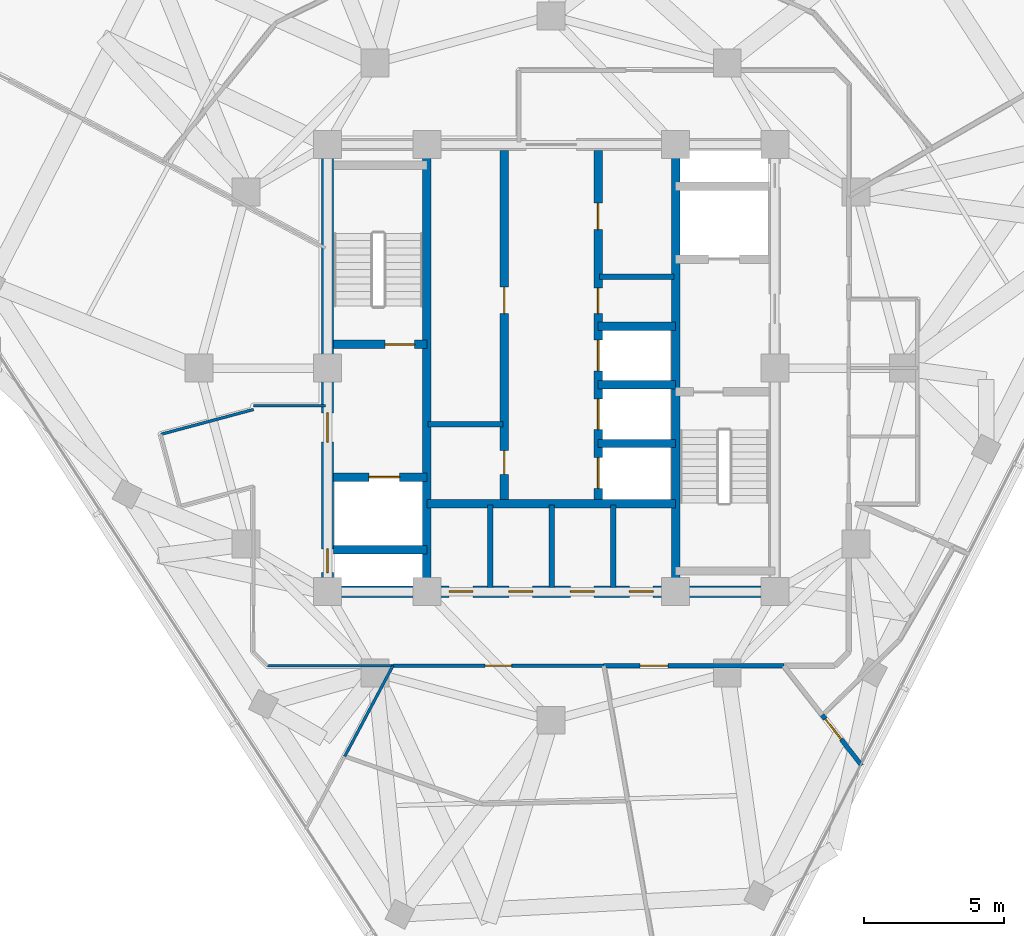
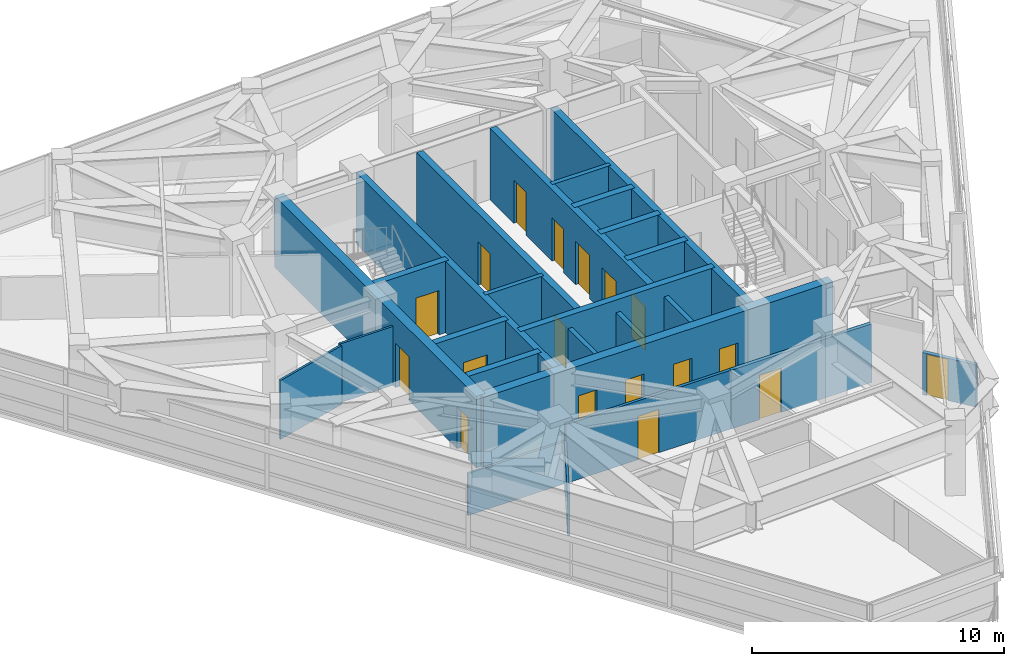
# One storey, part 8 of 15: 25 walls, 18 doors, 18 openings.
"""IFC4 building model written with IfcOpenShell, lengths in metres."""

from ifc_helpers import new_model, si_unit, direction, frame, frame_2d, origin, place, context, subcontext, project, spatial, rectangle, extrude, material, layer, layer_set, type_object, element, fill, save


model = new_model("IFC4")

# Units and contexts
model_context = context("Model", 3, precision=1e-05, world=origin(), true_north=direction((0.0, 1.0)))
body_context = subcontext(model_context, "Body", "Model", "MODEL_VIEW")
ifc_project = project(units=[si_unit("LENGTHUNIT", "METRE"), si_unit("AREAUNIT", "SQUARE_METRE"), si_unit("VOLUMEUNIT", "CUBIC_METRE"), si_unit("PLANEANGLEUNIT", "RADIAN"), si_unit("MASSUNIT", "GRAM", prefix="KILO")], contexts=[model_context])

# Site, building, storey
site_placement = place(None, origin())
site = spatial("IfcSite", under=ifc_project, at=site_placement, CompositionType="ELEMENT")
building_placement = place(site_placement, origin())
building = spatial("IfcBuilding", under=site, at=building_placement, Name="Terralouvre Media Tower", CompositionType="ELEMENT")
storey_placement = place(building_placement, frame((0.0, 0.0, 274.39990234375)))
storey = spatial("IfcBuildingStorey", under=building, at=storey_placement, Name="L71", CompositionType="ELEMENT", Elevation=274.39990234375)

# Walls
ifc_material_1 = material(Name="Concrete C50/60", Category="concrete")
ifc_layer_1 = layer(ifc_material_1, 0.300048828125, Name="Core Internal Shaft Wall CW-300")
ifc_layer_set_1 = layer_set([ifc_layer_1], Name="Concrete C50/60")
wall_type_1 = type_object("IfcWallType", Name="Core Internal Shaft Wall CW-300", PredefinedType="SHEAR", material=ifc_layer_set_1)
for number, where, z_axis, x_axis, name in (
    (1, (-4.449951171875, -7.7900390625, 0.0), (0.0, 0.0, 1.0), (0.0, 1.0, 0.0), "L71 Core Shaft Wall SPW"),
    (2, (4.449951171875, -7.7900390625, 0.0), (0.0, 0.0, 1.0), (0.0, 1.0, 0.0), "L71 Core Shaft Wall SPE"),
):
    element("IfcWall", number, at=place(storey_placement, frame(where, z_axis=z_axis, x_axis=x_axis)), inside=storey, type_object=wall_type_1, Name=name, PredefinedType="SHEAR", context=body_context, shape_type="SweptSolid", body=[
        extrude(rectangle(XDim=15.580078125, YDim=0.300048828125, at=frame_2d((7.7900390625, 0.0))), origin(), (0.0, 0.0, 1.0), 3.460205078125),
    ])

# Wall, opening, door
wall_1_placement = place(storey_placement, frame((-7.7900390625, 0.85009765625, 0.0), z_axis=(0.0, 0.0, 1.0), x_axis=(1.0, 0.0, 0.0)))
wall_1 = element("IfcWall", 3, at=wall_1_placement, inside=storey, type_object=wall_type_1, Name="L71 Core Shaft Wall ST1D", PredefinedType="SHEAR", context=body_context, shape_type="SweptSolid", body=[
    extrude(rectangle(XDim=3.340087890625, YDim=0.300048828125, at=frame_2d((1.669921875, 0.0))), origin(), (0.0, 0.0, 1.0), 3.460205078125),
])
opening_1_placement = place(wall_1_placement, frame((1.85009765625, 0.0, 0.0)))
opening_1 = element("IfcOpeningElement", 4, at=opening_1_placement, cuts=wall_1, Name="Opening FD-01-105X215", PredefinedType="OPENING", context=body_context, shape_type="SweptSolid", body=[
    extrude(rectangle(XDim=1.050048828125, YDim=2.14990234375, at=frame_2d((0.52490234375, 1.074951171875))), frame((0.0, 0.159912109375, 0.0), z_axis=(0.0, -1.0, 0.0), x_axis=(1.0, 0.0, 0.0)), (0.0, 0.0, 1.0), 0.320068359375),
])
ifc_material_2 = material(Name="Galvanised steel fire-resisting leaf", Category="steel")
door_type_1 = type_object("IfcDoorType", Name="Stair and Firefighting Lobby Fire Door FD-01 (1050x2150)", OperationType="NOTDEFINED", PredefinedType="DOOR", material=ifc_material_2)
door_1_placement = place(opening_1_placement, origin())
door_1 = element("IfcDoor", 5, at=door_1_placement, inside=storey, type_object=door_type_1, Name="L71 ST-01 Exit Stair Door", OperationType="SINGLE_SWING_LEFT", OverallHeight=2.14990234375, OverallWidth=1.050048828125, PredefinedType="DOOR", context=body_context, shape_type="SweptSolid", body=[
    extrude(rectangle(XDim=1.050048828125, YDim=2.14990234375, at=frame_2d((0.52490234375, 1.074951171875))), frame((0.0, 0.02490234375, 0.0), z_axis=(0.0, -1.0, 0.0), x_axis=(1.0, 0.0, 0.0)), (0.0, 0.0, 1.0), 0.050048828125),
])
fill(opening_1, door_1)

wall_2_placement = place(storey_placement, frame((-7.7900390625, -3.89990234375, 0.0), z_axis=(0.0, 0.0, 1.0), x_axis=(1.0, 0.0, 0.0)))
wall_2 = element("IfcWall", 6, at=wall_2_placement, inside=storey, type_object=wall_type_1, Name="L71 Core Shaft Wall FF1N", PredefinedType="SHEAR", context=body_context, shape_type="SweptSolid", body=[
    extrude(rectangle(XDim=3.340087890625, YDim=0.300048828125, at=frame_2d((1.669921875, 0.0))), origin(), (0.0, 0.0, 1.0), 3.460205078125),
])
opening_2_placement = place(wall_2_placement, frame((1.27001953125, 0.0, 0.0)))
opening_2 = element("IfcOpeningElement", 7, at=opening_2_placement, cuts=wall_2, Name="Opening LD-FF", PredefinedType="OPENING", context=body_context, shape_type="SweptSolid", body=[
    extrude(rectangle(XDim=1.10009765625, YDim=2.10009765625, at=frame_2d((0.550048828125, 1.050048828125))), frame((0.0, 0.159912109375, 0.0), z_axis=(0.0, -1.0, 0.0), x_axis=(1.0, 0.0, 0.0)), (0.0, 0.0, 1.0), 0.320068359375),
])
ifc_material_3 = material(Name="Stainless steel 316 handrail and balustrade", Category="steel")
door_type_2 = type_object("IfcDoorType", Name="Firefighting Lift Sliding Landing Door LD-FF", OperationType="SLIDING_TO_LEFT", PredefinedType="DOOR", material=ifc_material_3)
door_2_placement = place(opening_2_placement, origin())
door_2 = element("IfcDoor", 8, at=door_2_placement, inside=storey, type_object=door_type_2, Name="L71 Firefighting Lift FFL-01 Landing Door", OperationType="SLIDING_TO_LEFT", OverallHeight=2.10009765625, OverallWidth=1.10009765625, PredefinedType="DOOR", context=body_context, shape_type="SweptSolid", body=[
    extrude(rectangle(XDim=1.10009765625, YDim=2.10009765625, at=frame_2d((0.550048828125, 1.050048828125))), frame((0.0, 0.02490234375, 0.0), z_axis=(0.0, -1.0, 0.0), x_axis=(1.0, 0.0, 0.0)), (0.0, 0.0, 1.0), 0.050048828125),
])
fill(opening_2, door_2)

# Walls
wall_3_placement = place(storey_placement, frame((-7.7900390625, -6.5, 0.0), z_axis=(0.0, 0.0, 1.0), x_axis=(1.0, 0.0, 0.0)))
element("IfcWall", 9, at=wall_3_placement, inside=storey, type_object=wall_type_1, Name="L71 Core Shaft Wall FF1S", PredefinedType="SHEAR", context=body_context, shape_type="SweptSolid", body=[
    extrude(rectangle(XDim=3.340087890625, YDim=0.300048828125, at=frame_2d((1.669921875, 0.0))), origin(), (0.0, 0.0, 1.0), 3.460205078125),
])
wall_4_placement = place(storey_placement, frame((-4.449951171875, -4.85009765625, 0.0), z_axis=(0.0, 0.0, 1.0), x_axis=(1.0, 0.0, 0.0)))
element("IfcWall", 10, at=wall_4_placement, inside=storey, type_object=wall_type_1, Name="L71 Core Shaft Wall CSBN", PredefinedType="SHEAR", context=body_context, shape_type="SweptSolid", body=[
    extrude(rectangle(XDim=8.89990234375, YDim=0.300048828125, at=frame_2d((4.449951171875, 0.0))), origin(), (0.0, 0.0, 1.0), 3.460205078125),
])

# Wall, openings, doors
wall_5_placement = place(storey_placement, frame((-1.679931640625, -4.85009765625, 0.0), z_axis=(0.0, 0.0, 1.0), x_axis=(0.0, 1.0, 0.0)))
wall_5 = element("IfcWall", 11, at=wall_5_placement, inside=storey, type_object=wall_type_1, Name="L71 Core Shaft Wall LBW", PredefinedType="SHEAR", context=body_context, shape_type="SweptSolid", body=[
    extrude(rectangle(XDim=12.64013671875, YDim=0.300048828125, at=frame_2d((6.320068359375, 0.0))), origin(), (0.0, 0.0, 1.0), 3.460205078125),
])
opening_3_placement = place(wall_5_placement, frame((1.050048828125, 0.0, 0.0)))
opening_3 = element("IfcOpeningElement", 12, at=opening_3_placement, cuts=wall_5, Name="Opening TD-R1", PredefinedType="OPENING", context=body_context, shape_type="SweptSolid", body=[
    extrude(rectangle(XDim=0.85009765625, YDim=2.02001953125, at=frame_2d((0.425048828125, 1.010009765625))), frame((0.0, 0.159912109375, 0.0), z_axis=(0.0, -1.0, 0.0), x_axis=(1.0, 0.0, 0.0)), (0.0, 0.0, 1.0), 0.320068359375),
])
opening_4_placement = place(wall_5_placement, frame((6.800048828125, 0.0, 0.0)))
opening_4 = element("IfcOpeningElement", 13, at=opening_4_placement, cuts=wall_5, Name="Opening FD-02-95X210", PredefinedType="OPENING", context=body_context, shape_type="SweptSolid", body=[
    extrude(rectangle(XDim=0.949951171875, YDim=2.10009765625, at=frame_2d((0.47509765625, 1.050048828125))), frame((0.0, 0.159912109375, 0.0), z_axis=(0.0, -1.0, 0.0), x_axis=(1.0, 0.0, 0.0)), (0.0, 0.0, 1.0), 0.320068359375),
])
ifc_material_4 = material(Name="Galvanised steel fire-resisting leaf", Category="steel")
door_type_3 = type_object("IfcDoorType", Name="Plant and Riser Fire Door FD-02 (950x2100)", OperationType="NOTDEFINED", PredefinedType="DOOR", material=ifc_material_4)
door_3_placement = place(opening_4_placement, origin())
door_3 = element("IfcDoor", 14, at=door_3_placement, inside=storey, type_object=door_type_3, Name="L71 Core Patch Rack Plant Door", OperationType="SINGLE_SWING_RIGHT", OverallHeight=2.10009765625, OverallWidth=0.949951171875, PredefinedType="DOOR", context=body_context, shape_type="SweptSolid", body=[
    extrude(rectangle(XDim=0.949951171875, YDim=2.10009765625, at=frame_2d((0.47509765625, 1.050048828125))), frame((0.0, 0.02490234375, 0.0), z_axis=(0.0, -1.0, 0.0), x_axis=(1.0, 0.0, 0.0)), (0.0, 0.0, 1.0), 0.050048828125),
])
fill(opening_4, door_3)
ifc_material_5 = material(Name="Galvanised steel fire-resisting leaf", Category="steel")
door_type_4 = type_object("IfcDoorType", Name="Riser Inspection Access Trapdoor TD-R1", OperationType="NOTDEFINED", PredefinedType="TRAPDOOR", material=ifc_material_5)
door_4_placement = place(opening_3_placement, origin())
door_4 = element("IfcDoor", 15, at=door_4_placement, inside=storey, type_object=door_type_4, Name="L71 Core Cleaners Store Door", OperationType="SINGLE_SWING_LEFT", OverallHeight=2.02001953125, OverallWidth=0.85009765625, PredefinedType="TRAPDOOR", context=body_context, shape_type="SweptSolid", body=[
    extrude(rectangle(XDim=0.85009765625, YDim=2.02001953125, at=frame_2d((0.425048828125, 1.010009765625))), frame((0.0, 0.02490234375, 0.0), z_axis=(0.0, -1.0, 0.0), x_axis=(1.0, 0.0, 0.0)), (0.0, 0.0, 1.0), 0.050048828125),
])
fill(opening_3, door_4)

wall_6_placement = place(storey_placement, frame((1.679931640625, -4.85009765625, 0.0), z_axis=(0.0, 0.0, 1.0), x_axis=(0.0, 1.0, 0.0)))
wall_6 = element("IfcWall", 16, at=wall_6_placement, inside=storey, type_object=wall_type_1, Name="L71 Core Shaft Wall LBE", PredefinedType="SHEAR", context=body_context, shape_type="SweptSolid", body=[
    extrude(rectangle(XDim=12.64013671875, YDim=0.300048828125, at=frame_2d((6.320068359375, 0.0))), origin(), (0.0, 0.0, 1.0), 3.460205078125),
])
opening_5_placement = place(wall_6_placement, frame((0.550048828125, 0.0, 0.0)))
opening_5 = element("IfcOpeningElement", 17, at=opening_5_placement, cuts=wall_6, Name="Opening LD-PL", PredefinedType="OPENING", context=body_context, shape_type="SweptSolid", body=[
    extrude(rectangle(XDim=1.10009765625, YDim=2.10009765625, at=frame_2d((0.550048828125, 1.050048828125))), frame((0.0, 0.159912109375, 0.0), z_axis=(0.0, -1.0, 0.0), x_axis=(1.0, 0.0, 0.0)), (0.0, 0.0, 1.0), 0.320068359375),
])
opening_6_placement = place(wall_6_placement, frame((2.64990234375, 0.0, 0.0)))
opening_6 = element("IfcOpeningElement", 18, at=opening_6_placement, cuts=wall_6, Name="Opening LD-PL", PredefinedType="OPENING", context=body_context, shape_type="SweptSolid", body=[
    extrude(rectangle(XDim=1.10009765625, YDim=2.10009765625, at=frame_2d((0.550048828125, 1.050048828125))), frame((0.0, 0.159912109375, 0.0), z_axis=(0.0, -1.0, 0.0), x_axis=(1.0, 0.0, 0.0)), (0.0, 0.0, 1.0), 0.320068359375),
])
opening_7_placement = place(wall_6_placement, frame((4.75, 0.0, 0.0)))
opening_7 = element("IfcOpeningElement", 19, at=opening_7_placement, cuts=wall_6, Name="Opening LD-PL", PredefinedType="OPENING", context=body_context, shape_type="SweptSolid", body=[
    extrude(rectangle(XDim=1.10009765625, YDim=2.10009765625, at=frame_2d((0.550048828125, 1.050048828125))), frame((0.0, 0.159912109375, 0.0), z_axis=(0.0, -1.0, 0.0), x_axis=(1.0, 0.0, 0.0)), (0.0, 0.0, 1.0), 0.320068359375),
])
opening_8_placement = place(wall_6_placement, frame((6.800048828125, 0.0, 0.0)))
opening_8 = element("IfcOpeningElement", 20, at=opening_8_placement, cuts=wall_6, Name="Opening FD-05-92X210", PredefinedType="OPENING", context=body_context, shape_type="SweptSolid", body=[
    extrude(rectangle(XDim=0.919921875, YDim=2.10009765625, at=frame_2d((0.4599609375, 1.050048828125))), frame((0.0, 0.159912109375, 0.0), z_axis=(0.0, -1.0, 0.0), x_axis=(1.0, 0.0, 0.0)), (0.0, 0.0, 1.0), 0.320068359375),
])
opening_9_placement = place(wall_6_placement, frame((9.800048828125, 0.0, 0.0)))
opening_9 = element("IfcOpeningElement", 21, at=opening_9_placement, cuts=wall_6, Name="Opening FD-02-95X210", PredefinedType="OPENING", context=body_context, shape_type="SweptSolid", body=[
    extrude(rectangle(XDim=0.949951171875, YDim=2.10009765625, at=frame_2d((0.47509765625, 1.050048828125))), frame((0.0, 0.159912109375, 0.0), z_axis=(0.0, -1.0, 0.0), x_axis=(1.0, 0.0, 0.0)), (0.0, 0.0, 1.0), 0.320068359375),
])
ifc_material_6 = material(Name="Galvanised steel fire-resisting leaf", Category="steel")
door_type_5 = type_object("IfcDoorType", Name="Core Accessible Closet Fire Door FD-05 (920x2100)", OperationType="NOTDEFINED", PredefinedType="DOOR", material=ifc_material_6)
door_5_placement = place(opening_8_placement, origin())
door_5 = element("IfcDoor", 22, at=door_5_placement, inside=storey, type_object=door_type_5, Name="L71 Core Safe Store Door", OperationType="SINGLE_SWING_LEFT", OverallHeight=2.10009765625, OverallWidth=0.919921875, PredefinedType="DOOR", context=body_context, shape_type="SweptSolid", body=[
    extrude(rectangle(XDim=0.919921875, YDim=2.10009765625, at=frame_2d((0.4599609375, 1.050048828125))), frame((0.0, 0.02490234375, 0.0), z_axis=(0.0, -1.0, 0.0), x_axis=(1.0, 0.0, 0.0)), (0.0, 0.0, 1.0), 0.050048828125),
])
fill(opening_8, door_5)
ifc_material_7 = material(Name="Stainless steel 316 handrail and balustrade", Category="steel")
door_type_6 = type_object("IfcDoorType", Name="Passenger Lift Sliding Landing Door LD-PL", OperationType="SLIDING_TO_LEFT", PredefinedType="DOOR", material=ifc_material_7)
door_6_placement = place(opening_5_placement, origin())
door_6 = element("IfcDoor", 23, at=door_6_placement, inside=storey, type_object=door_type_6, Name="L71 High-Rise Lift PL-H1 Landing Door", OperationType="SLIDING_TO_LEFT", OverallHeight=2.10009765625, OverallWidth=1.10009765625, PredefinedType="DOOR", context=body_context, shape_type="SweptSolid", body=[
    extrude(rectangle(XDim=1.10009765625, YDim=2.10009765625, at=frame_2d((0.550048828125, 1.050048828125))), frame((0.0, 0.02490234375, 0.0), z_axis=(0.0, -1.0, 0.0), x_axis=(1.0, 0.0, 0.0)), (0.0, 0.0, 1.0), 0.050048828125),
])
fill(opening_5, door_6)
door_7_placement = place(opening_6_placement, origin())
door_7 = element("IfcDoor", 24, at=door_7_placement, inside=storey, type_object=door_type_6, Name="L71 High-Rise Lift PL-H2 Landing Door", OperationType="SLIDING_TO_LEFT", OverallHeight=2.10009765625, OverallWidth=1.10009765625, PredefinedType="DOOR", context=body_context, shape_type="SweptSolid", body=[
    extrude(rectangle(XDim=1.10009765625, YDim=2.10009765625, at=frame_2d((0.550048828125, 1.050048828125))), frame((0.0, 0.02490234375, 0.0), z_axis=(0.0, -1.0, 0.0), x_axis=(1.0, 0.0, 0.0)), (0.0, 0.0, 1.0), 0.050048828125),
])
fill(opening_6, door_7)
door_8_placement = place(opening_7_placement, origin())
door_8 = element("IfcDoor", 25, at=door_8_placement, inside=storey, type_object=door_type_6, Name="L71 High-Rise Lift PL-H3 Landing Door", OperationType="SLIDING_TO_LEFT", OverallHeight=2.10009765625, OverallWidth=1.10009765625, PredefinedType="DOOR", context=body_context, shape_type="SweptSolid", body=[
    extrude(rectangle(XDim=1.10009765625, YDim=2.10009765625, at=frame_2d((0.550048828125, 1.050048828125))), frame((0.0, 0.02490234375, 0.0), z_axis=(0.0, -1.0, 0.0), x_axis=(1.0, 0.0, 0.0)), (0.0, 0.0, 1.0), 0.050048828125),
])
fill(opening_7, door_8)
door_9_placement = place(opening_9_placement, origin())
door_9 = element("IfcDoor", 26, at=door_9_placement, inside=storey, type_object=door_type_3, Name="L71 Core IT Patch Plant Door", OperationType="SINGLE_SWING_RIGHT", OverallHeight=2.10009765625, OverallWidth=0.949951171875, PredefinedType="DOOR", context=body_context, shape_type="SweptSolid", body=[
    extrude(rectangle(XDim=0.949951171875, YDim=2.10009765625, at=frame_2d((0.47509765625, 1.050048828125))), frame((0.0, 0.02490234375, 0.0), z_axis=(0.0, -1.0, 0.0), x_axis=(1.0, 0.0, 0.0)), (0.0, 0.0, 1.0), 0.050048828125),
])
fill(opening_9, door_9)

# Walls
for number, where, z_axis, x_axis, name in (
    (27, (1.679931640625, 1.5, 0.0), (0.0, 0.0, 1.0), (1.0, 0.0, 0.0), "L71 Core Shaft Wall PLMBOT"),
    (28, (1.679931640625, -2.699951171875, 0.0), (0.0, 0.0, 1.0), (1.0, 0.0, 0.0), "L71 Core Shaft Wall PLHD1"),
    (29, (1.679931640625, -0.60009765625, 0.0), (0.0, 0.0, 1.0), (1.0, 0.0, 0.0), "L71 Core Shaft Wall PLHD2"),
):
    element("IfcWall", number, at=place(storey_placement, frame(where, z_axis=z_axis, x_axis=x_axis)), inside=storey, type_object=wall_type_1, Name=name, PredefinedType="SHEAR", context=body_context, shape_type="SweptSolid", body=[
        extrude(rectangle(XDim=2.77001953125, YDim=0.300048828125, at=frame_2d((1.385009765625, 0.0))), origin(), (0.0, 0.0, 1.0), 3.460205078125),
    ])

# Wall, openings, doors
ifc_material_8 = material(Name="Concrete C60/75", Category="concrete")
ifc_layer_2 = layer(ifc_material_8, 0.419921875, Name="Core Reinforced Concrete Shear Wall CW-420")
ifc_layer_set_2 = layer_set([ifc_layer_2], Name="Concrete C60/75")
wall_type_2 = type_object("IfcWallType", Name="Core Reinforced Concrete Shear Wall CW-420", PredefinedType="SHEAR", material=ifc_layer_set_2)
wall_7_placement = place(storey_placement, frame((-8.0, -8.0, 0.0), z_axis=(0.0, 0.0, 1.0), x_axis=(0.0, 1.0, 0.0)))
wall_7 = element("IfcWall", 30, at=wall_7_placement, inside=storey, type_object=wall_type_2, Name="L71 W Core Shear Wall", PredefinedType="SHEAR", context=body_context, shape_type="SweptSolid", body=[
    extrude(rectangle(XDim=16.0, YDim=0.419921875, at=frame_2d((8.0, 0.0))), origin(), (0.0, 0.0, 1.0), 3.460205078125),
])
opening_10_placement = place(wall_7_placement, frame((0.68115234375, 0.0, 0.0)))
opening_10 = element("IfcOpeningElement", 31, at=opening_10_placement, cuts=wall_7, Name="Opening TD-R1", PredefinedType="OPENING", context=body_context, shape_type="SweptSolid", body=[
    extrude(rectangle(XDim=0.85009765625, YDim=2.02001953125, at=frame_2d((0.425048828125, 1.010009765625))), frame((0.0, 0.219970703125, 0.0), z_axis=(0.0, -1.0, 0.0), x_axis=(1.0, 0.0, 0.0)), (0.0, 0.0, 1.0), 0.43994140625),
])
opening_11_placement = place(wall_7_placement, frame((5.35009765625, 0.0, 0.0)))
opening_11 = element("IfcOpeningElement", 32, at=opening_11_placement, cuts=wall_7, Name="Opening FD-01-105X215", PredefinedType="OPENING", context=body_context, shape_type="SweptSolid", body=[
    extrude(rectangle(XDim=1.050048828125, YDim=2.14990234375, at=frame_2d((0.52490234375, 1.074951171875))), frame((0.0, 0.219970703125, 0.0), z_axis=(0.0, -1.0, 0.0), x_axis=(1.0, 0.0, 0.0)), (0.0, 0.0, 1.0), 0.43994140625),
])
door_10_placement = place(opening_10_placement, origin())
door_10 = element("IfcDoor", 33, at=door_10_placement, inside=storey, type_object=door_type_4, Name="L71 Wet Riser Access Trapdoor", OperationType="SINGLE_SWING_LEFT", OverallHeight=2.02001953125, OverallWidth=0.85009765625, PredefinedType="TRAPDOOR", context=body_context, shape_type="SweptSolid", body=[
    extrude(rectangle(XDim=0.85009765625, YDim=2.02001953125, at=frame_2d((0.425048828125, 1.010009765625))), frame((0.0, 0.02490234375, 0.0), z_axis=(0.0, -1.0, 0.0), x_axis=(1.0, 0.0, 0.0)), (0.0, 0.0, 1.0), 0.050048828125),
])
fill(opening_10, door_10)
door_11_placement = place(opening_11_placement, origin())
door_11 = element("IfcDoor", 34, at=door_11_placement, inside=storey, type_object=door_type_1, Name="L71 West Firefighting Lobby Entry Door", OperationType="SINGLE_SWING_RIGHT", OverallHeight=2.14990234375, OverallWidth=1.050048828125, PredefinedType="DOOR", context=body_context, shape_type="SweptSolid", body=[
    extrude(rectangle(XDim=1.050048828125, YDim=2.14990234375, at=frame_2d((0.52490234375, 1.074951171875))), frame((0.0, 0.02490234375, 0.0), z_axis=(0.0, -1.0, 0.0), x_axis=(1.0, 0.0, 0.0)), (0.0, 0.0, 1.0), 0.050048828125),
])
fill(opening_11, door_11)

wall_8_placement = place(storey_placement, frame((-8.0, -8.0, 0.0), z_axis=(0.0, 0.0, 1.0), x_axis=(1.0, 0.0, 0.0)))
wall_8 = element("IfcWall", 35, at=wall_8_placement, inside=storey, type_object=wall_type_2, Name="L71 S Core Shear Wall", PredefinedType="SHEAR", context=body_context, shape_type="SweptSolid", body=[
    extrude(rectangle(XDim=16.0, YDim=0.419921875, at=frame_2d((8.0, 0.0))), origin(), (0.0, 0.0, 1.0), 3.460205078125),
])
opening_12_placement = place(wall_8_placement, frame((4.35009765625, 0.0, 0.0)))
opening_12 = element("IfcOpeningElement", 36, at=opening_12_placement, cuts=wall_8, Name="Opening TD-R1", PredefinedType="OPENING", context=body_context, shape_type="SweptSolid", body=[
    extrude(rectangle(XDim=0.85009765625, YDim=2.02001953125, at=frame_2d((0.425048828125, 1.010009765625))), frame((0.0, 0.219970703125, 0.0), z_axis=(0.0, -1.0, 0.0), x_axis=(1.0, 0.0, 0.0)), (0.0, 0.0, 1.0), 0.43994140625),
])
opening_13_placement = place(wall_8_placement, frame((6.489990234375, 0.0, 0.0)))
opening_13 = element("IfcOpeningElement", 37, at=opening_13_placement, cuts=wall_8, Name="Opening TD-R1", PredefinedType="OPENING", context=body_context, shape_type="SweptSolid", body=[
    extrude(rectangle(XDim=0.85009765625, YDim=2.02001953125, at=frame_2d((0.425048828125, 1.010009765625))), frame((0.0, 0.219970703125, 0.0), z_axis=(0.0, -1.0, 0.0), x_axis=(1.0, 0.0, 0.0)), (0.0, 0.0, 1.0), 0.43994140625),
])
opening_14_placement = place(wall_8_placement, frame((8.68994140625, 0.0, 0.0)))
opening_14 = element("IfcOpeningElement", 38, at=opening_14_placement, cuts=wall_8, Name="Opening TD-R1", PredefinedType="OPENING", context=body_context, shape_type="SweptSolid", body=[
    extrude(rectangle(XDim=0.85009765625, YDim=2.02001953125, at=frame_2d((0.425048828125, 1.010009765625))), frame((0.0, 0.219970703125, 0.0), z_axis=(0.0, -1.0, 0.0), x_axis=(1.0, 0.0, 0.0)), (0.0, 0.0, 1.0), 0.43994140625),
])
opening_15_placement = place(wall_8_placement, frame((10.800048828125, 0.0, 0.0)))
opening_15 = element("IfcOpeningElement", 39, at=opening_15_placement, cuts=wall_8, Name="Opening TD-R1", PredefinedType="OPENING", context=body_context, shape_type="SweptSolid", body=[
    extrude(rectangle(XDim=0.85009765625, YDim=2.02001953125, at=frame_2d((0.425048828125, 1.010009765625))), frame((0.0, 0.219970703125, 0.0), z_axis=(0.0, -1.0, 0.0), x_axis=(1.0, 0.0, 0.0)), (0.0, 0.0, 1.0), 0.43994140625),
])
door_12_placement = place(opening_12_placement, origin())
door_12 = element("IfcDoor", 40, at=door_12_placement, inside=storey, type_object=door_type_4, Name="L71 Core Battery Plant Door", OperationType="SINGLE_SWING_LEFT", OverallHeight=2.02001953125, OverallWidth=0.85009765625, PredefinedType="TRAPDOOR", context=body_context, shape_type="SweptSolid", body=[
    extrude(rectangle(XDim=0.85009765625, YDim=2.02001953125, at=frame_2d((0.425048828125, 1.010009765625))), frame((0.0, 0.02490234375, 0.0), z_axis=(0.0, -1.0, 0.0), x_axis=(1.0, 0.0, 0.0)), (0.0, 0.0, 1.0), 0.050048828125),
])
fill(opening_12, door_12)
door_13_placement = place(opening_13_placement, origin())
door_13 = element("IfcDoor", 41, at=door_13_placement, inside=storey, type_object=door_type_4, Name="L71 Core IT Patch Plant Door", OperationType="SINGLE_SWING_RIGHT", OverallHeight=2.02001953125, OverallWidth=0.85009765625, PredefinedType="TRAPDOOR", context=body_context, shape_type="SweptSolid", body=[
    extrude(rectangle(XDim=0.85009765625, YDim=2.02001953125, at=frame_2d((0.425048828125, 1.010009765625))), frame((0.0, 0.02490234375, 0.0), z_axis=(0.0, -1.0, 0.0), x_axis=(1.0, 0.0, 0.0)), (0.0, 0.0, 1.0), 0.050048828125),
])
fill(opening_13, door_13)
door_14_placement = place(opening_14_placement, origin())
door_14 = element("IfcDoor", 42, at=door_14_placement, inside=storey, type_object=door_type_4, Name="L71 Core Housekeeping Store Door", OperationType="SINGLE_SWING_LEFT", OverallHeight=2.02001953125, OverallWidth=0.85009765625, PredefinedType="TRAPDOOR", context=body_context, shape_type="SweptSolid", body=[
    extrude(rectangle(XDim=0.85009765625, YDim=2.02001953125, at=frame_2d((0.425048828125, 1.010009765625))), frame((0.0, 0.02490234375, 0.0), z_axis=(0.0, -1.0, 0.0), x_axis=(1.0, 0.0, 0.0)), (0.0, 0.0, 1.0), 0.050048828125),
])
fill(opening_14, door_14)
door_15_placement = place(opening_15_placement, origin())
door_15 = element("IfcDoor", 43, at=door_15_placement, inside=storey, type_object=door_type_4, Name="L71 Core Smoke Damper Plant Door", OperationType="SINGLE_SWING_RIGHT", OverallHeight=2.02001953125, OverallWidth=0.85009765625, PredefinedType="TRAPDOOR", context=body_context, shape_type="SweptSolid", body=[
    extrude(rectangle(XDim=0.85009765625, YDim=2.02001953125, at=frame_2d((0.425048828125, 1.010009765625))), frame((0.0, 0.02490234375, 0.0), z_axis=(0.0, -1.0, 0.0), x_axis=(1.0, 0.0, 0.0)), (0.0, 0.0, 1.0), 0.050048828125),
])
fill(opening_15, door_15)

# Walls
ifc_material_9 = material(Name="Low-iron laminated double glazing with solar-control coating", Category="glass")
ifc_layer_3 = layer(ifc_material_9, 0.10009765625, Name="Demountable Glazed Office Partition PT-GL100")
ifc_layer_set_3 = layer_set([ifc_layer_3], Name="Low-iron laminated double glazing with solar-control coating")
wall_type_3 = type_object("IfcWallType", Name="Demountable Glazed Office Partition PT-GL100", PredefinedType="MOVABLE", material=ifc_layer_set_3)
wall_9_placement = place(storey_placement, frame((-8.080078125, -1.35009765625, 0.0), z_axis=(0.0, 0.0, 1.0), x_axis=(-1.0, 0.0, 0.0)))
element("IfcWall", 44, at=wall_9_placement, inside=storey, type_object=wall_type_3, Name="L71 Interior Partition 001", PredefinedType="MOVABLE", context=body_context, shape_type="SweptSolid", body=[
    extrude(rectangle(XDim=2.56982421875, YDim=0.10009765625, at=frame_2d((1.284912109375, 0.0))), origin(), (0.0, 0.0, 1.0), 2.84521484375),
])
wall_10_placement = place(storey_placement, frame((-10.64990234375, -1.48193359375, 0.0), z_axis=(0.0, 0.0, 1.0), x_axis=(-0.965961397105, -0.2586862565, 0.0)))
element("IfcWall", 45, at=wall_10_placement, inside=storey, type_object=wall_type_3, Name="L71 Interior Partition 002", PredefinedType="MOVABLE", context=body_context, shape_type="SweptSolid", body=[
    extrude(rectangle(XDim=3.4287109375, YDim=0.10009765625, at=frame_2d((1.71435546875, 0.0))), origin(), (0.0, 0.0, 1.0), 2.84521484375),
])
wall_11_placement = place(storey_placement, frame((-10.14990234375, -10.64990234375, 0.0), z_axis=(0.0, 0.0, 1.0), x_axis=(1.0, 0.0, 0.0)))
element("IfcWall", 46, at=wall_11_placement, inside=storey, type_object=wall_type_3, Name="L71 Interior Partition 007", PredefinedType="MOVABLE", context=body_context, shape_type="SweptSolid", body=[
    extrude(rectangle(XDim=4.48681640625, YDim=0.10009765625, at=frame_2d((2.243408203125, 0.0))), origin(), (0.0, 0.0, 1.0), 2.045166015625),
])
wall_12_placement = place(storey_placement, frame((-7.385009765625, -13.889892578125, 0.0), z_axis=(0.0, 0.0, 1.0), x_axis=(0.469299548001, 0.883039033252, 0.0)))
element("IfcWall", 47, at=wall_12_placement, inside=storey, type_object=wall_type_3, Name="L71 Interior Partition 021", PredefinedType="MOVABLE", context=body_context, shape_type="SweptSolid", body=[
    extrude(rectangle(XDim=3.669189453125, YDim=0.10009765625, at=frame_2d((1.83447265625, 0.0))), origin(), (0.0, 0.0, 1.0), 2.045166015625),
])
ifc_material_10 = material(Name="Fire-rated gypsum board drywall partition")
ifc_layer_4 = layer(ifc_material_10, 0.199951171875, Name="Fire-Rated Shaft and Lobby Partition FW-200")
ifc_layer_set_4 = layer_set([ifc_layer_4], Name="Fire-rated gypsum board drywall partition")
wall_type_4 = type_object("IfcWallType", Name="Fire-Rated Shaft and Lobby Partition FW-200", PredefinedType="SOLIDWALL", material=ifc_layer_set_4)
for number, where, z_axis, x_axis, name in (
    (48, (-2.179931640625, -7.85009765625, 0.0), (0.0, 0.0, 1.0), (0.0, 1.0, 0.0), "L71 Core Service Bay Partition 1"),
    (49, (0.02001953125, -7.85009765625, 0.0), (0.0, 0.0, 1.0), (0.0, 1.0, 0.0), "L71 Core Service Bay Partition 2"),
    (50, (2.219970703125, -7.85009765625, 0.0), (0.0, 0.0, 1.0), (0.0, 1.0, 0.0), "L71 Core Service Bay Partition 3"),
):
    element("IfcWall", number, at=place(storey_placement, frame(where, z_axis=z_axis, x_axis=x_axis)), inside=storey, type_object=wall_type_4, Name=name, PredefinedType="SOLIDWALL", context=body_context, shape_type="SweptSolid", body=[
        extrude(rectangle(XDim=2.9501953125, YDim=0.199951171875, at=frame_2d((1.47509765625, 0.0))), origin(), (0.0, 0.0, 1.0), 2.84521484375),
    ])
for number, where, z_axis, x_axis, name in (
    (51, (-4.39990234375, -2.010009765625, 0.0), (0.0, 0.0, 1.0), (1.0, 0.0, 0.0), "L71 Core West Sub-Partition 1"),
    (52, (1.719970703125, 3.27001953125, 0.0), (0.0, 0.0, 1.0), (1.0, 0.0, 0.0), "L71 Core East Sub-Partition 1"),
):
    element("IfcWall", number, at=place(storey_placement, frame(where, z_axis=z_axis, x_axis=x_axis)), inside=storey, type_object=wall_type_4, Name=name, PredefinedType="SOLIDWALL", context=body_context, shape_type="SweptSolid", body=[
        extrude(rectangle(XDim=2.679931640625, YDim=0.199951171875, at=frame_2d((1.33984375, 0.0))), origin(), (0.0, 0.0, 1.0), 3.460205078125),
    ])

# Wall, opening, door
ifc_material_11 = material(Name="Fire-rated gypsum board drywall partition")
ifc_layer_5 = layer(ifc_material_11, 0.135009765625, Name="Newsroom Acoustic Partition PT-135")
ifc_layer_set_5 = layer_set([ifc_layer_5], Name="Fire-rated gypsum board drywall partition")
wall_type_5 = type_object("IfcWallType", Name="Newsroom Acoustic Partition PT-135", PredefinedType="PARTITIONING", material=ifc_layer_set_5)
wall_13_placement = place(storey_placement, frame((-5.6630859375, -10.64990234375, 0.0), z_axis=(0.0, 0.0, 1.0), x_axis=(1.0, 0.0, 0.0)))
wall_13 = element("IfcWall", 53, at=wall_13_placement, inside=storey, type_object=wall_type_5, Name="L71 Interior Partition 008", PredefinedType="PARTITIONING", context=body_context, shape_type="SweptSolid", body=[
    extrude(rectangle(XDim=7.541015625, YDim=0.135009765625, at=frame_2d((3.7705078125, 0.0))), origin(), (0.0, 0.0, 1.0), 2.84521484375),
])
opening_16_placement = place(wall_13_placement, frame((3.29541015625, 0.0, 0.0)))
opening_16 = element("IfcOpeningElement", 54, at=opening_16_placement, cuts=wall_13, Name="Opening ID-02-95X210", PredefinedType="OPENING", context=body_context, shape_type="SweptSolid", body=[
    extrude(rectangle(XDim=0.949951171875, YDim=2.10009765625, at=frame_2d((0.47509765625, 1.050048828125))), frame((0.0, 0.077392578125, 0.0), z_axis=(0.0, -1.0, 0.0), x_axis=(1.0, 0.0, 0.0)), (0.0, 0.0, 1.0), 0.155029296875),
])
ifc_material_12 = material(Name="Engineered hardwood acoustic timber leaf", Category="wood")
door_type_7 = type_object("IfcDoorType", Name="Office and Meeting Room Door ID-02 (950x2100)", OperationType="NOTDEFINED", PredefinedType="DOOR", material=ifc_material_12)
door_16_placement = place(opening_16_placement, origin())
door_16 = element("IfcDoor", 55, at=door_16_placement, inside=storey, type_object=door_type_7, Name="L71 Editorial Collaborative Open Office 2 Door", OperationType="SINGLE_SWING_LEFT", OverallHeight=2.10009765625, OverallWidth=0.949951171875, PredefinedType="DOOR", context=body_context, shape_type="SweptSolid", body=[
    extrude(rectangle(XDim=0.949951171875, YDim=2.10009765625, at=frame_2d((0.47509765625, 1.050048828125))), frame((0.0, 0.02490234375, 0.0), z_axis=(0.0, -1.0, 0.0), x_axis=(1.0, 0.0, 0.0)), (0.0, 0.0, 1.0), 0.050048828125),
])
fill(opening_16, door_16)

ifc_material_13 = material(Name="Fire-rated gypsum board drywall partition")
ifc_layer_6 = layer(ifc_material_13, 0.159912109375, Name="Studio Acoustic Rated Partition PT-160")
ifc_layer_set_6 = layer_set([ifc_layer_6], Name="Fire-rated gypsum board drywall partition")
wall_type_6 = type_object("IfcWallType", Name="Studio Acoustic Rated Partition PT-160", PredefinedType="PARTITIONING", material=ifc_layer_set_6)
wall_14_placement = place(storey_placement, frame((1.8779296875, -10.64990234375, 0.0), z_axis=(0.0, 0.0, 1.0), x_axis=(1.0, 0.0, 0.0)))
wall_14 = element("IfcWall", 56, at=wall_14_placement, inside=storey, type_object=wall_type_6, Name="L71 Interior Partition 009", PredefinedType="PARTITIONING", context=body_context, shape_type="SweptSolid", body=[
    extrude(rectangle(XDim=6.443115234375, YDim=0.159912109375, at=frame_2d((3.2216796875, 0.0))), origin(), (0.0, 0.0, 1.0), 2.84521484375),
])
opening_17_placement = place(wall_14_placement, frame((1.303955078125, 0.0, 0.0)))
opening_17 = element("IfcOpeningElement", 57, at=opening_17_placement, cuts=wall_14, Name="Opening ID-01-100X215", PredefinedType="OPENING", context=body_context, shape_type="SweptSolid", body=[
    extrude(rectangle(XDim=1.0, YDim=2.14990234375, at=frame_2d((0.5, 1.074951171875))), frame((0.0, 0.08984375, 0.0), z_axis=(0.0, -1.0, 0.0), x_axis=(1.0, 0.0, 0.0)), (0.0, 0.0, 1.0), 0.179931640625),
])
ifc_material_14 = material(Name="Engineered hardwood acoustic timber leaf", Category="wood")
door_type_8 = type_object("IfcDoorType", Name="Broadcast Studio Acoustic Single Door ID-01 (1000x2150)", OperationType="NOTDEFINED", PredefinedType="DOOR", material=ifc_material_14)
door_17_placement = place(opening_17_placement, origin())
door_17 = element("IfcDoor", 58, at=door_17_placement, inside=storey, type_object=door_type_8, Name="L71 Director Master Control Room 4 Door", OperationType="SINGLE_SWING_RIGHT", OverallHeight=2.14990234375, OverallWidth=1.0, PredefinedType="DOOR", context=body_context, shape_type="SweptSolid", body=[
    extrude(rectangle(XDim=1.0, YDim=2.14990234375, at=frame_2d((0.5, 1.074951171875))), frame((0.0, 0.02490234375, 0.0), z_axis=(0.0, -1.0, 0.0), x_axis=(1.0, 0.0, 0.0)), (0.0, 0.0, 1.0), 0.050048828125),
])
fill(opening_17, door_17)

wall_15_placement = place(storey_placement, frame((11.1083984375, -14.21826171875, 0.0), z_axis=(0.0, 0.0, 1.0), x_axis=(-0.615736984334, 0.787951753677, 0.0)))
wall_15 = element("IfcWall", 59, at=wall_15_placement, inside=storey, type_object=wall_type_6, Name="L71 Interior Partition 029", PredefinedType="PARTITIONING", context=body_context, shape_type="SweptSolid", body=[
    extrude(rectangle(XDim=2.293701171875, YDim=0.159912109375, at=frame_2d((1.14697265625, 0.0))), origin(), (0.0, 0.0, 1.0), 2.045166015625),
])
opening_18_placement = place(wall_15_placement, frame((1.19140625, 0.0, 0.0)))
opening_18 = element("IfcOpeningElement", 60, at=opening_18_placement, cuts=wall_15, Name="Opening ID-03", PredefinedType="OPENING", context=body_context, shape_type="SweptSolid", body=[
    extrude(rectangle(XDim=0.919921875, YDim=2.0, at=frame_2d((0.4599609375, 1.0))), frame((0.0, 0.08984375, 0.0), z_axis=(0.0, -1.0, 0.0), x_axis=(1.0, 0.0, 0.0)), (0.0, 0.0, 1.0), 0.179931640625),
])
ifc_material_15 = material(Name="Engineered hardwood acoustic timber leaf", Category="wood")
door_type_9 = type_object("IfcDoorType", Name="Accessible Restroom and Suite Door ID-03", OperationType="NOTDEFINED", PredefinedType="DOOR", material=ifc_material_15)
door_18_placement = place(opening_18_placement, origin())
door_18 = element("IfcDoor", 61, at=door_18_placement, inside=storey, type_object=door_type_9, Name="L71 Broadcast Floor Crew Room 5 Door", OperationType="SINGLE_SWING_LEFT", OverallHeight=2.0, OverallWidth=0.919921875, PredefinedType="DOOR", context=body_context, shape_type="SweptSolid", body=[
    extrude(rectangle(XDim=0.919921875, YDim=2.0, at=frame_2d((0.4599609375, 1.0))), frame((0.0, 0.02490234375, 0.0), z_axis=(0.0, -1.0, 0.0), x_axis=(1.0, 0.0, 0.0)), (0.0, 0.0, 1.0), 0.050048828125),
])
fill(opening_18, door_18)

save(model, "model.ifc")
